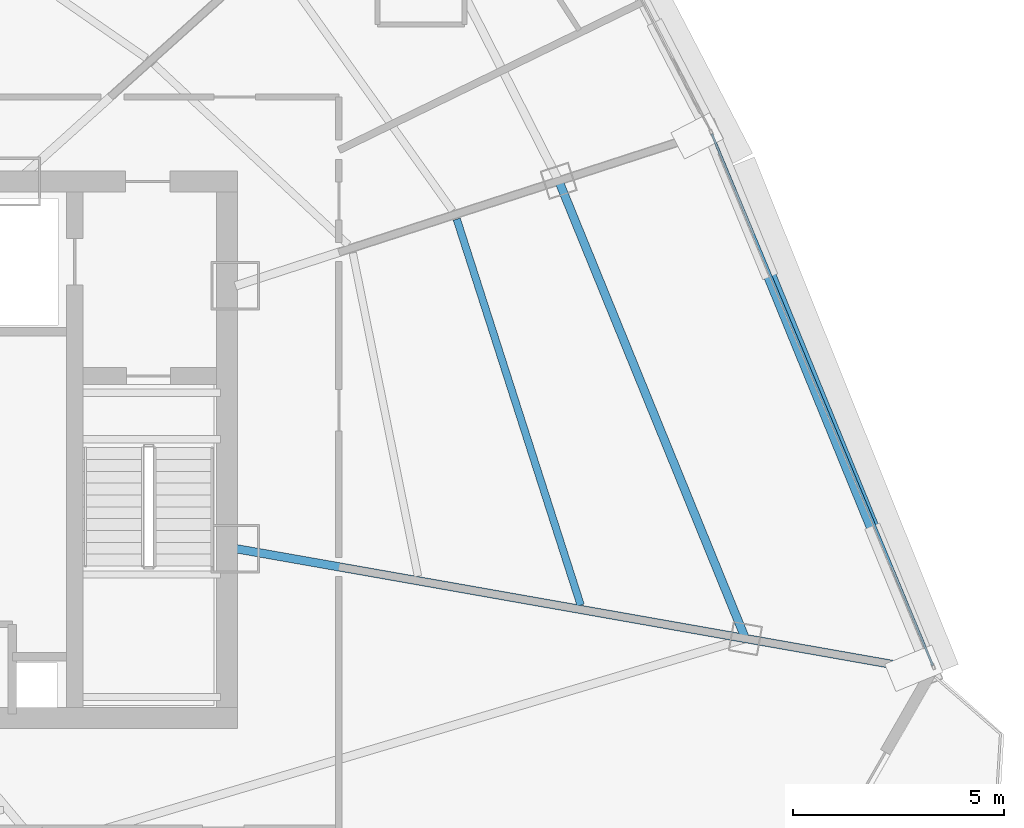
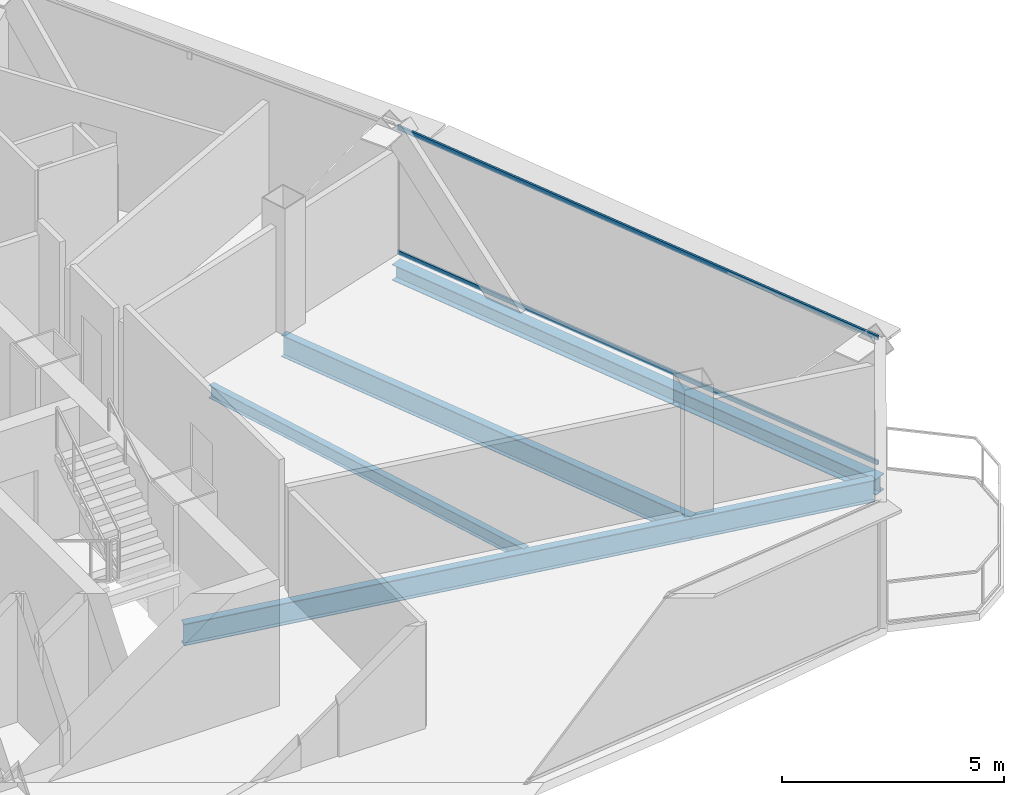
# One storey, part 15 of 34: 4 beams, 2 members, 1 element without a shape of its own.
"""IFC4 building model written with IfcOpenShell, lengths in metres."""

from ifc_helpers import new_model, si_unit, direction, frame, origin, origin_2d, place, context, subcontext, project, spatial, hollow_rectangle, i_section, extrude, source, transform, mapped, material, layer, layer_set, material_profile, profile_set, type_object, element, aggregate, save


model = new_model("IFC4")

# Units and contexts
model_context = context("Model", 3, precision=1e-05, world=origin(), true_north=direction((0.0, 1.0)))
body_context = subcontext(model_context, "Body", "Model", "MODEL_VIEW")
ifc_project = project(units=[si_unit("LENGTHUNIT", "METRE"), si_unit("AREAUNIT", "SQUARE_METRE"), si_unit("VOLUMEUNIT", "CUBIC_METRE"), si_unit("PLANEANGLEUNIT", "RADIAN"), si_unit("MASSUNIT", "GRAM", prefix="KILO"), si_unit("THERMODYNAMICTEMPERATUREUNIT", "KELVIN"), si_unit("POWERUNIT", "WATT")], contexts=[model_context])

# Site, building, storey
site_placement = place(None, origin())
site = spatial("IfcSite", under=ifc_project, at=site_placement, CompositionType="ELEMENT")
building_placement = place(site_placement, origin())
building = spatial("IfcBuilding", under=site, at=building_placement, Name="Yunzhuo Pagoda Commons", CompositionType="ELEMENT")
storey_placement = place(building_placement, frame((0.0, 0.0, 333.010009765625)))
storey = spatial("IfcBuildingStorey", under=building, at=storey_placement, Name="L83", CompositionType="ELEMENT", Elevation=333.010009765625)

# Beams
ifc_material_1 = material(Name="Structural steel Q355B", Category="steel")
ifc_material_profile_1 = material_profile(ifc_material_1, i_section(OverallWidth=0.300048828125, OverallDepth=0.43994140625, WebThickness=0.010986328125, FlangeThickness=0.01806640625, at=origin_2d()), Name="Structural steel Q355B")
ifc_profile_set_1 = profile_set([ifc_material_profile_1], Name="Structural steel Q355B")
beam_type_1 = type_object("IfcBeamType", Name="B-SP2 Beam HM 440x300x11x18", PredefinedType="BEAM", material=ifc_profile_set_1)
shared_shape_1 = source(origin(), body_context, "Body", "SweptSolid", [
    extrude(i_section(OverallWidth=0.300048828125, OverallDepth=0.43994140625, WebThickness=0.010986328125, FlangeThickness=0.01806640625, at=origin_2d()), origin(), (0.0, 0.0, 1.0), 13.80419921875),
])
beam_1_placement = place(storey_placement, frame((76.87744140625, 28.608154296875, -0.47998046875), z_axis=(-0.378566733914, 0.925573999189, 0.0), x_axis=(-0.925573999189, -0.378566733914, 0.0)))
element("IfcBeam", 1, at=beam_1_placement, inside=storey, type_object=beam_type_1, Name="L83 facade edge spandrel beam F2.1", PredefinedType="BEAM", context=body_context, shape_type="MappedRepresentation", body=[
    mapped(shared_shape_1, transform((0.0, 0.0, 0.0), scale=1.0)),
])
ifc_material_profile_2 = material_profile(ifc_material_1, i_section(OverallWidth=0.199951171875, OverallDepth=0.60009765625, WebThickness=0.010986328125, FlangeThickness=0.01708984375, at=origin_2d()), Name="Structural steel Q355B")
ifc_profile_set_2 = profile_set([ifc_material_profile_2], Name="Structural steel Q355B")
beam_type_2 = type_object("IfcBeamType", Name="B-RG3 Beam HN 600x200x11x17", PredefinedType="BEAM", material=ifc_profile_set_2)
shared_shape_2 = source(origin(), body_context, "Body", "SweptSolid", [
    extrude(i_section(OverallWidth=0.199951171875, OverallDepth=0.60009765625, WebThickness=0.010986328125, FlangeThickness=0.01708984375, at=origin_2d()), origin(), (0.0, 0.0, 1.0), 11.696533203125),
])
beam_2_placement = place(storey_placement, frame((72.47021484375, 29.38525390625, -0.56005859375), z_axis=(-0.377611800863, 0.925963999219, 0.0), x_axis=(-0.925963999219, -0.377611800863, 0.0)))
element("IfcBeam", 2, at=beam_2_placement, inside=storey, type_object=beam_type_2, Name="L83 column-ring beam 5", PredefinedType="BEAM", context=body_context, shape_type="MappedRepresentation", body=[
    mapped(shared_shape_2, transform((0.0, 0.0, 0.0), scale=1.0)),
])
shared_shape_3 = source(origin(), body_context, "Body", "SweptSolid", [
    extrude(i_section(OverallWidth=0.199951171875, OverallDepth=0.60009765625, WebThickness=0.010986328125, FlangeThickness=0.01708984375, at=origin_2d()), origin(), (0.0, 0.0, 1.0), 16.576416015625),
])
beam_3_placement = place(storey_placement, frame((76.724609375, 28.635009765625, -0.56005859375), z_axis=(-0.984808457955, 0.173644179692, 0.0), x_axis=(-0.173644179692, -0.984808457955, 0.0)))
element("IfcBeam", 3, at=beam_3_placement, inside=storey, type_object=beam_type_2, Name="L83 radial floor girder F2C1", PredefinedType="BEAM", context=body_context, shape_type="MappedRepresentation", body=[
    mapped(shared_shape_3, transform((0.0, 0.0, 0.0), scale=1.0)),
])
ifc_material_profile_3 = material_profile(ifc_material_1, i_section(OverallWidth=0.175048828125, OverallDepth=0.35009765625, WebThickness=0.007080078125, FlangeThickness=0.010986328125, at=origin_2d()), Name="Structural steel Q355B")
ifc_profile_set_3 = profile_set([ifc_material_profile_3], Name="Structural steel Q355B")
beam_type_3 = type_object("IfcBeamType", Name="B-JS2 Joist HN 350x175x7x11", PredefinedType="JOIST", material=ifc_profile_set_3)
shared_shape_4 = source(origin(), body_context, "Body", "SweptSolid", [
    extrude(i_section(OverallWidth=0.175048828125, OverallDepth=0.35009765625, WebThickness=0.007080078125, FlangeThickness=0.010986328125, at=origin_2d()), origin(), (0.0, 0.0, 1.0), 9.593994140625),
])
beam_4_placement = place(storey_placement, frame((68.572509765625, 30.17578125, -0.43505859375), z_axis=(-0.305719218499, 0.952121714614, 0.0), x_axis=(-0.952121714614, -0.305719218499, 0.0)))
element("IfcBeam", 4, at=beam_4_placement, inside=storey, type_object=beam_type_3, Name="L83 composite ring joist 2.5", PredefinedType="JOIST", context=body_context, shape_type="MappedRepresentation", body=[
    mapped(shared_shape_4, transform((0.0, 0.0, 0.0), scale=1.0)),
])

# Curtain wall, members
ifc_material_2 = material(Name="Anodized aluminium 6063-T6", Category="aluminium")
ifc_layer = layer(ifc_material_2, 0.139892578125)
ifc_layer_set = layer_set([ifc_layer], Name="Anodized aluminium 6063-T6")
curtain_wall_type = type_object("IfcCurtainWallType", Name="CW-HI High-Zone Ribbon Curtain Wall", PredefinedType="NOTDEFINED", material=ifc_layer_set)
curtain_wall_placement = place(storey_placement, origin())
curtain_wall = element("IfcCurtainWall", 5, at=curtain_wall_placement, inside=storey, type_object=curtain_wall_type, Name="L83 curtain wall CW-L83-F2B2", PredefinedType="NOTDEFINED")
ifc_material_profile_4 = material_profile(ifc_material_2, hollow_rectangle(XDim=0.054931640625, YDim=0.1201171875, WallThickness=0.00341796875, at=origin_2d()), Name="Anodized aluminium 6063-T6")
ifc_profile_set_4 = profile_set([ifc_material_profile_4], Name="Anodized aluminium 6063-T6")
member_type = type_object("IfcMemberType", Name="CW-HI-T Transom RHS 120x55x3.5", PredefinedType="USERDEFINED", material=ifc_profile_set_4)
shared_shape_5 = source(origin(), body_context, "Body", "SweptSolid", [
    extrude(hollow_rectangle(XDim=0.054931640625, YDim=0.1201171875, WallThickness=0.00341796875, at=origin_2d()), origin(), (0.0, 0.0, 1.0), 13.62646484375),
])
member_1_placement = place(storey_placement, frame((76.90478515625, 28.746826171875, 0.027587890625), z_axis=(-0.383812484242, 0.92341105524, 0.0), x_axis=(-0.92341105524, -0.383812484242, 0.0)))
member_1 = element("IfcMember", 6, at=member_1_placement, type_object=member_type, Name="CW transom 1.1", ObjectType="TRANSOM", PredefinedType="USERDEFINED", context=body_context, shape_type="MappedRepresentation", body=[
    mapped(shared_shape_5, transform((0.0, 0.0, 0.0), scale=1.0)),
])
member_2_placement = place(storey_placement, frame((76.90478515625, 28.746826171875, 3.46240234375), z_axis=(-0.383812484242, 0.92341105524, 0.0), x_axis=(-0.92341105524, -0.383812484242, 0.0)))
member_2 = element("IfcMember", 7, at=member_2_placement, type_object=member_type, Name="CW transom 1.2", ObjectType="TRANSOM", PredefinedType="USERDEFINED", context=body_context, shape_type="MappedRepresentation", body=[
    mapped(shared_shape_5, transform((0.0, 0.0, 0.0), scale=1.0)),
])
aggregate(curtain_wall, [member_1, member_2])

save(model, "model.ifc")
